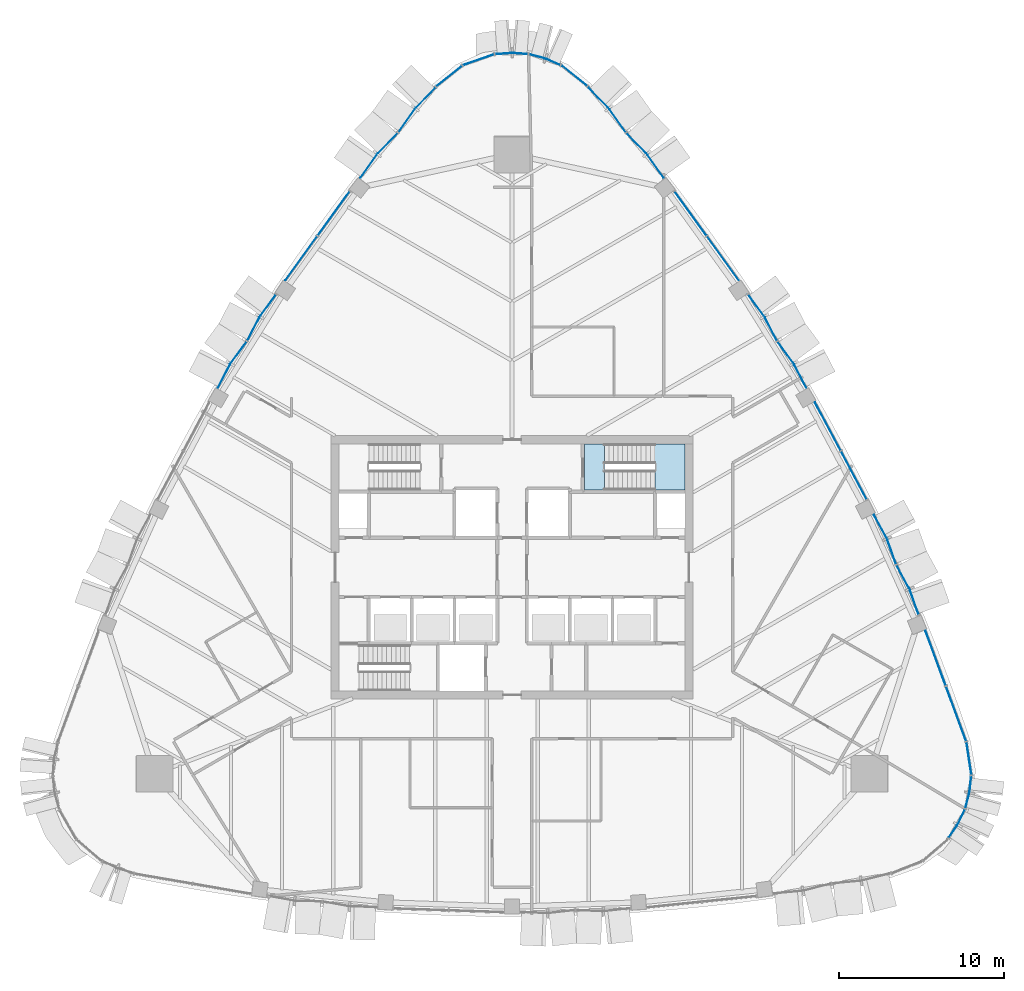
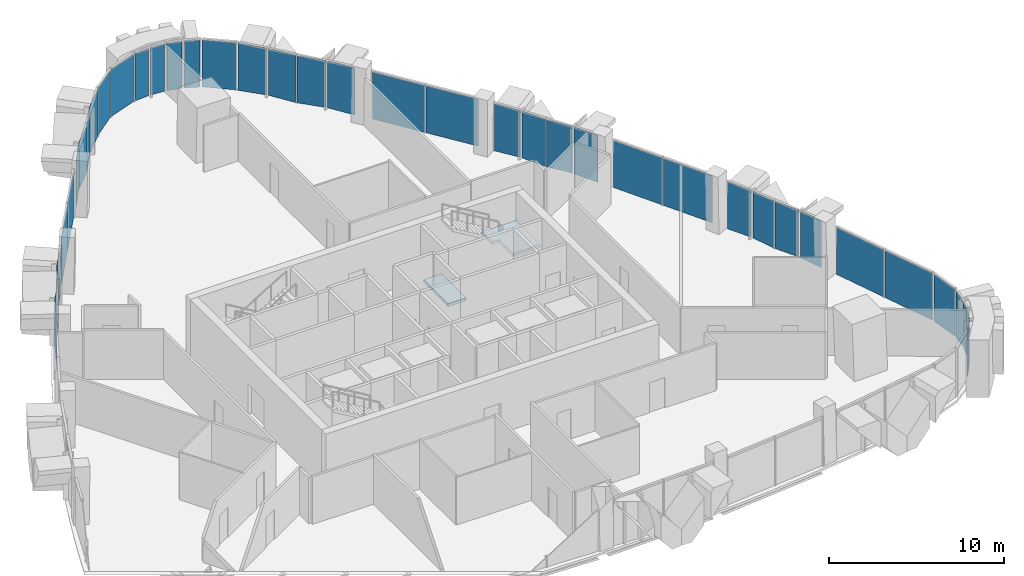
# One storey, part 10 of 18: 40 plates, 2 slabs, 18 elements without a shape of their own.
"""IFC4 building model written with IfcOpenShell, lengths in metres."""

from ifc_helpers import new_model, si_unit, direction, frame, origin, origin_2d, place, context, subcontext, project, spatial, polyline, rectangle, outline, extrude, material, layer, layer_set, type_object, element, aggregate, save


model = new_model("IFC4")

# Units and contexts
model_context = context("Model", 3, precision=1e-05, world=origin(), true_north=direction((0.0, 1.0)))
body_context = subcontext(model_context, "Body", "Model", "MODEL_VIEW")
ifc_project = project(units=[si_unit("LENGTHUNIT", "METRE"), si_unit("AREAUNIT", "SQUARE_METRE"), si_unit("VOLUMEUNIT", "CUBIC_METRE"), si_unit("PLANEANGLEUNIT", "RADIAN"), si_unit("MASSUNIT", "GRAM", prefix="KILO")], contexts=[model_context])

# Site, building, storey
site_placement = place(None, origin())
site = spatial("IfcSite", under=ifc_project, at=site_placement, CompositionType="ELEMENT")
building_placement = place(site_placement, origin())
building = spatial("IfcBuilding", under=site, at=building_placement, Name="Sierra Prisma Convention Tower", CompositionType="ELEMENT")
storey_placement = place(building_placement, frame((0.0, 0.0, 251.0)))
storey = spatial("IfcBuildingStorey", under=building, at=storey_placement, Name="L56", CompositionType="ELEMENT", Elevation=251.0)

# Curtain wall, plate
ifc_material_1 = material(Name="Aluminium and glass curtain wall", Category="aluminium")
ifc_layer_1 = layer(ifc_material_1, 0.179931640625)
ifc_layer_set_1 = layer_set([ifc_layer_1], Name="CW-1 Plain shaft curtain wall")
curtain_wall_type_1 = type_object("IfcCurtainWallType", Name="CW-1 Plain shaft curtain wall", PredefinedType="NOTDEFINED", material=ifc_layer_set_1)
curtain_wall_1_placement = place(storey_placement, origin())
curtain_wall_1 = element("IfcCurtainWall", 1, at=curtain_wall_1_placement, inside=storey, type_object=curtain_wall_type_1, Name="CW-1 SE5 L56", PredefinedType="NOTDEFINED")
ifc_material_2 = material(Name="Tinted glass bronze-grey IGU", Category="glass")
ifc_layer_2 = layer(ifc_material_2, 0.028076171875)
ifc_layer_set_2 = layer_set([ifc_layer_2], Name="CW-1 glass panel")
plate_type_1 = type_object("IfcPlateType", Name="CW-1 glass panel", PredefinedType="CURTAIN_PANEL", material=ifc_layer_set_2)
plate_1_placement = place(storey_placement, frame((27.75732421875, -11.637939453125, 0.0), z_axis=(0.0, 0.0, 1.0), x_axis=(-0.149482789255, 0.988764327692, 0.0)))
plate_1 = element("IfcPlate", 2, at=plate_1_placement, type_object=plate_type_1, Name="CW-1 panel SE5.1", PredefinedType="CURTAIN_PANEL", context=body_context, shape_type="SweptSolid", body=[
    extrude(rectangle(XDim=1.93115234375, YDim=0.028076171875, at=origin_2d()), origin(), (0.0, 0.0, 1.0), 3.280029296875),
])
aggregate(curtain_wall_1, [plate_1])

# Curtain wall, plates
curtain_wall_2_placement = place(storey_placement, origin())
curtain_wall_2 = element("IfcCurtainWall", 3, at=curtain_wall_2_placement, inside=storey, type_object=curtain_wall_type_1, Name="CW-1 NE1 L56", PredefinedType="NOTDEFINED")
plate_2_placement = place(storey_placement, frame((26.968994140625, -8.892578125, 0.0), z_axis=(0.0, 0.0, 1.0), x_axis=(-0.345382735037, 0.938461915231, 0.0)))
plate_2 = element("IfcPlate", 4, at=plate_2_placement, type_object=plate_type_1, Name="CW-1 panel NE1.1", PredefinedType="CURTAIN_PANEL", context=body_context, shape_type="SweptSolid", body=[
    extrude(rectangle(XDim=3.528564453125, YDim=0.028076171875, at=origin_2d()), origin(), (0.0, 0.0, 1.0), 3.280029296875),
])
plate_3_placement = place(storey_placement, frame((25.726318359375, -5.515625, 0.0), z_axis=(0.0, 0.0, 1.0), x_axis=(-0.345382735037, 0.938461915231, 0.0)))
plate_3 = element("IfcPlate", 5, at=plate_3_placement, type_object=plate_type_1, Name="CW-1 panel NE1.2", PredefinedType="CURTAIN_PANEL", context=body_context, shape_type="SweptSolid", body=[
    extrude(rectangle(XDim=3.528564453125, YDim=0.028076171875, at=origin_2d()), origin(), (0.0, 0.0, 1.0), 3.280029296875),
])
aggregate(curtain_wall_2, [plate_2, plate_3])

curtain_wall_3_placement = place(storey_placement, origin())
curtain_wall_3 = element("IfcCurtainWall", 6, at=curtain_wall_3_placement, inside=storey, type_object=curtain_wall_type_1, Name="CW-1 NE3 L56", PredefinedType="NOTDEFINED")
plate_4_placement = place(storey_placement, frame((20.75830078125, 5.595947265625, 0.0), z_axis=(0.0, 0.0, 1.0), x_axis=(-0.470103762851, 0.882611155693, 0.0)))
plate_4 = element("IfcPlate", 7, at=plate_4_placement, type_object=plate_type_1, Name="CW-1 panel NE3.1", PredefinedType="CURTAIN_PANEL", context=body_context, shape_type="SweptSolid", body=[
    extrude(rectangle(XDim=3.29736328125, YDim=0.028076171875, at=origin_2d()), origin(), (0.0, 0.0, 1.0), 3.280029296875),
])
plate_5_placement = place(storey_placement, frame((19.175048828125, 8.568115234375, 0.0), z_axis=(0.0, 0.0, 1.0), x_axis=(-0.470103762851, 0.882611155693, 0.0)))
plate_5 = element("IfcPlate", 8, at=plate_5_placement, type_object=plate_type_1, Name="CW-1 panel NE3.2", PredefinedType="CURTAIN_PANEL", context=body_context, shape_type="SweptSolid", body=[
    extrude(rectangle(XDim=3.29736328125, YDim=0.028076171875, at=origin_2d()), origin(), (0.0, 0.0, 1.0), 3.280029296875),
])
aggregate(curtain_wall_3, [plate_4, plate_5])

curtain_wall_4_placement = place(storey_placement, origin())
curtain_wall_4 = element("IfcCurtainWall", 9, at=curtain_wall_4_placement, inside=storey, type_object=curtain_wall_type_1, Name="CW-1 NE5 L56", PredefinedType="NOTDEFINED")
plate_6_placement = place(storey_placement, frame((12.804443359375, 18.780517578125, 0.0), z_axis=(0.0, 0.0, 1.0), x_axis=(-0.586045771133, 0.810277948692, 0.0)))
plate_6 = element("IfcPlate", 10, at=plate_6_placement, type_object=plate_type_1, Name="CW-1 panel NE5.1", PredefinedType="CURTAIN_PANEL", context=body_context, shape_type="SweptSolid", body=[
    extrude(rectangle(XDim=3.282470703125, YDim=0.028076171875, at=origin_2d()), origin(), (0.0, 0.0, 1.0), 3.280029296875),
])
plate_7_placement = place(storey_placement, frame((10.83984375, 21.496826171875, 0.0), z_axis=(0.0, 0.0, 1.0), x_axis=(-0.586045771133, 0.810277948692, 0.0)))
plate_7 = element("IfcPlate", 11, at=plate_7_placement, type_object=plate_type_1, Name="CW-1 panel NE5.2", PredefinedType="CURTAIN_PANEL", context=body_context, shape_type="SweptSolid", body=[
    extrude(rectangle(XDim=3.282470703125, YDim=0.028076171875, at=origin_2d()), origin(), (0.0, 0.0, 1.0), 3.280029296875),
])
aggregate(curtain_wall_4, [plate_6, plate_7])

# Curtain wall, plate
curtain_wall_5_placement = place(storey_placement, origin())
curtain_wall_5 = element("IfcCurtainWall", 12, at=curtain_wall_5_placement, inside=storey, type_object=curtain_wall_type_1, Name="CW-1 N1 L56", PredefinedType="NOTDEFINED")
plate_8_placement = place(storey_placement, frame((3.7998046875, 29.857666015625, 0.0), z_axis=(0.0, 0.0, 1.0), x_axis=(-0.78155363151, 0.623838056769, 0.0)))
plate_8 = element("IfcPlate", 13, at=plate_8_placement, type_object=plate_type_1, Name="CW-1 panel N1.1", PredefinedType="CURTAIN_PANEL", context=body_context, shape_type="SweptSolid", body=[
    extrude(rectangle(XDim=1.93115234375, YDim=0.028076171875, at=origin_2d()), origin(), (0.0, 0.0, 1.0), 3.280029296875),
])
aggregate(curtain_wall_5, [plate_8])

curtain_wall_6_placement = place(storey_placement, origin())
curtain_wall_6 = element("IfcCurtainWall", 14, at=curtain_wall_6_placement, inside=storey, type_object=curtain_wall_type_1, Name="CW-1 N4 L56", PredefinedType="NOTDEFINED")
plate_9_placement = place(storey_placement, frame((-2.01318359375, 30.845947265625, 0.0), z_axis=(0.0, 0.0, 1.0), x_axis=(-0.943809734933, -0.330489310334, 0.0)))
plate_9 = element("IfcPlate", 15, at=plate_9_placement, type_object=plate_type_1, Name="CW-1 panel N4.1", PredefinedType="CURTAIN_PANEL", context=body_context, shape_type="SweptSolid", body=[
    extrude(rectangle(XDim=1.93115234375, YDim=0.028076171875, at=origin_2d()), origin(), (0.0, 0.0, 1.0), 3.280029296875),
])
aggregate(curtain_wall_6, [plate_9])

curtain_wall_7_placement = place(storey_placement, origin())
curtain_wall_7 = element("IfcCurtainWall", 16, at=curtain_wall_7_placement, inside=storey, type_object=curtain_wall_type_1, Name="CW-1 N5 L56", PredefinedType="NOTDEFINED")
plate_10_placement = place(storey_placement, frame((-3.7998046875, 29.857666015625, 0.0), z_axis=(0.0, 0.0, 1.0), x_axis=(-0.78155363151, -0.623838056769, 0.0)))
plate_10 = element("IfcPlate", 17, at=plate_10_placement, type_object=plate_type_1, Name="CW-1 panel N5.1", PredefinedType="CURTAIN_PANEL", context=body_context, shape_type="SweptSolid", body=[
    extrude(rectangle(XDim=1.93115234375, YDim=0.028076171875, at=origin_2d()), origin(), (0.0, 0.0, 1.0), 3.280029296875),
])
aggregate(curtain_wall_7, [plate_10])

# Curtain wall, plates
curtain_wall_8_placement = place(storey_placement, origin())
curtain_wall_8 = element("IfcCurtainWall", 18, at=curtain_wall_8_placement, inside=storey, type_object=curtain_wall_type_1, Name="CW-1 NW2 L56", PredefinedType="NOTDEFINED")
plate_11_placement = place(storey_placement, frame((-10.840576171875, 21.495849609375, 0.0), z_axis=(0.0, 0.0, 1.0), x_axis=(-0.586045771133, -0.810277948692, 0.0)))
plate_11 = element("IfcPlate", 19, at=plate_11_placement, type_object=plate_type_1, Name="CW-1 panel NW2.1", PredefinedType="CURTAIN_PANEL", context=body_context, shape_type="SweptSolid", body=[
    extrude(rectangle(XDim=3.281494140625, YDim=0.028076171875, at=origin_2d()), origin(), (0.0, 0.0, 1.0), 3.280029296875),
])
plate_12_placement = place(storey_placement, frame((-12.8046875, 18.7802734375, 0.0), z_axis=(0.0, 0.0, 1.0), x_axis=(-0.586045771133, -0.810277948692, 0.0)))
plate_12 = element("IfcPlate", 20, at=plate_12_placement, type_object=plate_type_1, Name="CW-1 panel NW2.2", PredefinedType="CURTAIN_PANEL", context=body_context, shape_type="SweptSolid", body=[
    extrude(rectangle(XDim=3.281494140625, YDim=0.028076171875, at=origin_2d()), origin(), (0.0, 0.0, 1.0), 3.280029296875),
])
aggregate(curtain_wall_8, [plate_11, plate_12])

ifc_material_3 = material(Name="Aluminium and glass curtain wall", Category="aluminium")
ifc_layer_3 = layer(ifc_material_3, 0.179931640625)
ifc_layer_set_3 = layer_set([ifc_layer_3], Name="CW-2 Faceted crystal curtain wall")
curtain_wall_type_2 = type_object("IfcCurtainWallType", Name="CW-2 Faceted crystal curtain wall", PredefinedType="NOTDEFINED", material=ifc_layer_set_3)
curtain_wall_9_placement = place(storey_placement, origin())
curtain_wall_9 = element("IfcCurtainWall", 21, at=curtain_wall_9_placement, inside=storey, type_object=curtain_wall_type_2, Name="CW-2 SE3 L56", PredefinedType="NOTDEFINED")
ifc_material_4 = material(Name="Tinted glass bronze-grey IGU", Category="glass")
ifc_layer_4 = layer(ifc_material_4, 0.028076171875)
ifc_layer_set_4 = layer_set([ifc_layer_4], Name="CW-2 crystal pane")
plate_type_2 = type_object("IfcPlateType", Name="CW-2 crystal pane", PredefinedType="CURTAIN_PANEL", material=ifc_layer_set_4)
plate_13_placement = place(storey_placement, frame((26.52685546875, -16.430419921875, 0.0), z_axis=(0.824112849106, -0.566425645551, 0.0), x_axis=(0.566425645551, 0.824112849106, 0.0)))
plate_13 = element("IfcPlate", 22, at=plate_13_placement, type_object=plate_type_2, Name="CW-2 pane SE3.1.1", PredefinedType="CURTAIN_PANEL", context=body_context, shape_type="SweptSolid", body=[
    extrude(outline(polyline([(0.0, 0.0), (0.9038483597030819, 0.0), (0.9038483597030819, 3.280029296875), (0.0, 3.280029296875), (0.0, 0.0)])), origin(), (0.0, 0.0, -1.0), 0.028076171875),
])
plate_14_placement = place(storey_placement, frame((27.49267578125, -14.7578125, 0.0), z_axis=(0.902540694234, -0.430604569473, 0.0), x_axis=(-0.430604569473, -0.902540694234, 0.0)))
plate_14 = element("IfcPlate", 23, at=plate_14_placement, type_object=plate_type_2, Name="CW-2 pane SE3.1.2", PredefinedType="CURTAIN_PANEL", context=body_context, shape_type="SweptSolid", body=[
    extrude(outline(polyline([(0.0, 0.0), (0.9037529646427814, 0.0), (0.9037529646427814, -3.280029296875), (0.0, -3.280029296875), (0.0, 0.0)])), origin(), (0.0, 0.0, -1.0), 0.028076171875),
])
aggregate(curtain_wall_9, [plate_13, plate_14])

curtain_wall_10_placement = place(storey_placement, origin())
curtain_wall_10 = element("IfcCurtainWall", 24, at=curtain_wall_10_placement, inside=storey, type_object=curtain_wall_type_2, Name="CW-2 SE4 L56", PredefinedType="NOTDEFINED")
plate_15_placement = place(storey_placement, frame((27.54052734375, -14.62841796875, 0.0), z_axis=(0.964981688905, -0.262317250819, 0.0), x_axis=(0.262317250819, 0.964981688905, 0.0)))
plate_15 = element("IfcPlate", 25, at=plate_15_placement, type_object=plate_type_2, Name="CW-2 pane SE4.1.1", PredefinedType="CURTAIN_PANEL", context=body_context, shape_type="SweptSolid", body=[
    extrude(outline(polyline([(0.0, 0.0), (0.9037169539344284, 0.0), (0.9037169539344284, 3.280029296875), (0.0, 3.280029296875), (0.0, 0.0)])), origin(), (0.0, 0.0, -1.0), 0.028076171875),
])
plate_16_placement = place(storey_placement, frame((27.899169921875, -12.730712890625, 0.0), z_axis=(0.994144463069, -0.108059180768, 0.0), x_axis=(-0.108059180768, -0.994144463069, 0.0)))
plate_16 = element("IfcPlate", 26, at=plate_16_placement, type_object=plate_type_2, Name="CW-2 pane SE4.1.2", PredefinedType="CURTAIN_PANEL", context=body_context, shape_type="SweptSolid", body=[
    extrude(outline(polyline([(0.0, 0.0), (0.9037293204108809, 0.0), (0.9037293204108809, -3.280029296875), (0.0, -3.280029296875), (0.0, 0.0)])), origin(), (0.0, 0.0, -1.0), 0.028076171875),
])
aggregate(curtain_wall_10, [plate_15, plate_16])

curtain_wall_11_placement = place(storey_placement, origin())
curtain_wall_11 = element("IfcCurtainWall", 27, at=curtain_wall_11_placement, inside=storey, type_object=curtain_wall_type_2, Name="CW-2 NE2 L56", PredefinedType="NOTDEFINED")
plate_17_placement = place(storey_placement, frame((24.706787109375, -2.857421875, 0.0), z_axis=(0.941947891639, 0.335759094347, 0.0), x_axis=(-0.335759094347, 0.941947891639, 0.0)))
plate_17 = element("IfcPlate", 28, at=plate_17_placement, type_object=plate_type_2, Name="CW-2 pane NE2.1.1", PredefinedType="CURTAIN_PANEL", context=body_context, shape_type="SweptSolid", body=[
    extrude(outline(polyline([(0.0, 0.0), (1.580781362845958, 0.0), (1.580781362845958, 3.280029296875), (0.0, 3.280029296875), (0.0, 0.0)])), origin(), (0.0, 0.0, -1.0), 0.028076171875),
])
plate_18_placement = place(storey_placement, frame((23.36572265625, 0.1376953125, 0.0), z_axis=(0.877789318095, 0.479046879791, 0.0), x_axis=(0.479046879791, -0.877789318095, 0.0)))
plate_18 = element("IfcPlate", 29, at=plate_18_placement, type_object=plate_type_2, Name="CW-2 pane NE2.1.2", PredefinedType="CURTAIN_PANEL", context=body_context, shape_type="SweptSolid", body=[
    extrude(outline(polyline([(0.0, 0.0), (1.580897926065997, 0.0), (1.580897926065997, -3.280029296875), (0.0, -3.280029296875), (0.0, 0.0)])), origin(), (0.0, 0.0, -1.0), 0.028076171875),
])
plate_19_placement = place(storey_placement, frame((23.337158203125, 0.201416015625, 0.0), z_axis=(0.941916459404, 0.335847262165, 0.0), x_axis=(-0.335847262165, 0.941916459404, 0.0)))
plate_19 = element("IfcPlate", 30, at=plate_19_placement, type_object=plate_type_2, Name="CW-2 pane NE2.2.1", PredefinedType="CURTAIN_PANEL", context=body_context, shape_type="SweptSolid", body=[
    extrude(outline(polyline([(0.0, 0.0), (1.5810933099544973, 0.0), (1.5810933099544973, 3.2800292968749996), (0.0, 3.2800292968749996), (0.0, 0.0)])), origin(), (0.0, 0.0, -1.0), 0.028076171875),
])
plate_20_placement = place(storey_placement, frame((21.995849609375, 3.196533203125, 0.0), z_axis=(0.877789318095, 0.479046879791, 0.0), x_axis=(0.479046879791, -0.877789318095, 0.0)))
plate_20 = element("IfcPlate", 31, at=plate_20_placement, type_object=plate_type_2, Name="CW-2 pane NE2.2.2", PredefinedType="CURTAIN_PANEL", context=body_context, shape_type="SweptSolid", body=[
    extrude(outline(polyline([(0.0, 0.0), (1.580897926065997, 0.0), (1.580897926065997, -3.280029296875), (0.0, -3.280029296875), (0.0, 0.0)])), origin(), (0.0, 0.0, -1.0), 0.028076171875),
])
aggregate(curtain_wall_11, [plate_17, plate_18, plate_19, plate_20])

curtain_wall_12_placement = place(storey_placement, origin())
curtain_wall_12 = element("IfcCurtainWall", 32, at=curtain_wall_12_placement, inside=storey, type_object=curtain_wall_type_2, Name="CW-2 NE4 L56", PredefinedType="NOTDEFINED")
plate_21_placement = place(storey_placement, frame((17.88037109375, 10.92333984375, 0.0), z_axis=(0.88734255422, 0.461110823414, 0.0), x_axis=(-0.461110823414, 0.88734255422, 0.0)))
plate_21 = element("IfcPlate", 33, at=plate_21_placement, type_object=plate_type_2, Name="CW-2 pane NE4.1.1", PredefinedType="CURTAIN_PANEL", context=body_context, shape_type="SweptSolid", body=[
    extrude(outline(polyline([(0.0, 0.0), (1.588915242111446, 0.0), (1.588915242111446, 3.280029296875), (0.0, 3.280029296875), (0.0, 0.0)])), origin(), (0.0, 0.0, -1.0), 0.028076171875),
])
plate_22_placement = place(storey_placement, frame((16.135009765625, 13.720947265625, 0.0), z_axis=(0.804294287787, 0.594231182818, 0.0), x_axis=(0.594231182818, -0.804294287787, 0.0)))
plate_22 = element("IfcPlate", 34, at=plate_22_placement, type_object=plate_type_2, Name="CW-2 pane NE4.1.2", PredefinedType="CURTAIN_PANEL", context=body_context, shape_type="SweptSolid", body=[
    extrude(outline(polyline([(0.0, 0.0), (1.5887617886313754, 0.0), (1.5887617886313754, -3.280029296875), (0.0, -3.280029296875), (0.0, 0.0)])), origin(), (0.0, 0.0, -1.0), 0.028076171875),
])
plate_23_placement = place(storey_placement, frame((16.097900390625, 13.780517578125, 0.0), z_axis=(0.887309877476, 0.461173699741, 0.0), x_axis=(-0.461173699741, 0.887309877476, 0.0)))
plate_23 = element("IfcPlate", 35, at=plate_23_placement, type_object=plate_type_2, Name="CW-2 pane NE4.2.1", PredefinedType="CURTAIN_PANEL", context=body_context, shape_type="SweptSolid", body=[
    extrude(outline(polyline([(0.0, 0.0), (1.588698609734258, 0.0), (1.588698609734258, 3.280029296875), (0.0, 3.280029296875), (0.0, 0.0)])), origin(), (0.0, 0.0, -1.0), 0.028076171875),
])
plate_24_placement = place(storey_placement, frame((14.3525390625, 16.578125, 0.0), z_axis=(0.804294287787, 0.594231182818, 0.0), x_axis=(0.594231182818, -0.804294287787, 0.0)))
plate_24 = element("IfcPlate", 36, at=plate_24_placement, type_object=plate_type_2, Name="CW-2 pane NE4.2.2", PredefinedType="CURTAIN_PANEL", context=body_context, shape_type="SweptSolid", body=[
    extrude(outline(polyline([(0.0, 0.0), (1.5887617886313754, 0.0), (1.5887617886313754, -3.280029296875), (0.0, -3.280029296875), (0.0, 0.0)])), origin(), (0.0, 0.0, -1.0), 0.028076171875),
])
aggregate(curtain_wall_12, [plate_21, plate_22, plate_23, plate_24])

curtain_wall_13_placement = place(storey_placement, origin())
curtain_wall_13 = element("IfcCurtainWall", 37, at=curtain_wall_13_placement, inside=storey, type_object=curtain_wall_type_2, Name="CW-2 NE6 L56", PredefinedType="NOTDEFINED")
plate_25_placement = place(storey_placement, frame((9.215576171875, 23.681884765625, 0.0), z_axis=(0.816213024985, 0.577751069098, 0.0), x_axis=(-0.577751069098, 0.816213024985, 0.0)))
plate_25 = element("IfcPlate", 38, at=plate_25_placement, type_object=plate_type_2, Name="CW-2 pane NE6.1.1", PredefinedType="CURTAIN_PANEL", context=body_context, shape_type="SweptSolid", body=[
    extrude(outline(polyline([(0.0, 0.0), (1.7046498638022896, 0.0), (1.7046498638022896, 3.280029296875), (0.0, 3.280029296875), (0.0, 0.0)])), origin(), (0.0, 0.0, -1.0), 0.028076171875),
])
plate_26_placement = place(storey_placement, frame((6.957275390625, 26.392822265625, 0.0), z_axis=(0.715719083287, 0.698388282991, 0.0), x_axis=(0.698388282991, -0.715719083287, 0.0)))
plate_26 = element("IfcPlate", 39, at=plate_26_placement, type_object=plate_type_2, Name="CW-2 pane NE6.1.2", PredefinedType="CURTAIN_PANEL", context=body_context, shape_type="SweptSolid", body=[
    extrude(outline(polyline([(0.0, 0.0), (1.7045384587520032, 0.0), (1.7045384587520032, -3.280029296875), (0.0, -3.280029296875), (0.0, 0.0)])), origin(), (0.0, 0.0, -1.0), 0.028076171875),
])
plate_27_placement = place(storey_placement, frame((6.912353515625, 26.44677734375, 0.0), z_axis=(0.816213024985, 0.577751069098, 0.0), x_axis=(-0.577751069098, 0.816213024985, 0.0)))
plate_27 = element("IfcPlate", 40, at=plate_27_placement, type_object=plate_type_2, Name="CW-2 pane NE6.2.1", PredefinedType="CURTAIN_PANEL", context=body_context, shape_type="SweptSolid", body=[
    extrude(outline(polyline([(0.0, 0.0), (1.7046498638022896, 0.0), (1.7046498638022896, 3.280029296875), (0.0, 3.280029296875), (0.0, 0.0)])), origin(), (0.0, 0.0, -1.0), 0.028076171875),
])
plate_28_placement = place(storey_placement, frame((4.654052734375, 29.15771484375, 0.0), z_axis=(0.715788932313, 0.698316693469, 0.0), x_axis=(0.698316693469, -0.715788932313, 0.0)))
plate_28 = element("IfcPlate", 41, at=plate_28_placement, type_object=plate_type_2, Name="CW-2 pane NE6.2.2", PredefinedType="CURTAIN_PANEL", context=body_context, shape_type="SweptSolid", body=[
    extrude(outline(polyline([(0.0, 0.0), (1.7047132033832506, 0.0), (1.7047132033832506, -3.280029296875), (0.0, -3.280029296875), (0.0, 0.0)])), origin(), (0.0, 0.0, -1.0), 0.028076171875),
])
aggregate(curtain_wall_13, [plate_25, plate_26, plate_27, plate_28])

curtain_wall_14_placement = place(storey_placement, origin())
curtain_wall_14 = element("IfcCurtainWall", 42, at=curtain_wall_14_placement, inside=storey, type_object=curtain_wall_type_2, Name="CW-2 N2 L56", PredefinedType="NOTDEFINED")
plate_29_placement = place(storey_placement, frame((2.92431640625, 30.52685546875, 0.0), z_axis=(0.40345391342, 0.914999967074, 0.0), x_axis=(-0.914999967074, 0.40345391342, 0.0)))
plate_29 = element("IfcPlate", 43, at=plate_29_placement, type_object=plate_type_2, Name="CW-2 pane N2.1.1", PredefinedType="CURTAIN_PANEL", context=body_context, shape_type="SweptSolid", body=[
    extrude(outline(polyline([(0.0, 0.0), (0.9034537551879533, 0.0), (0.9034537551879533, 3.280029296875), (0.0, 3.280029296875), (0.0, 0.0)])), origin(), (0.0, 0.0, -1.0), 0.028076171875),
])
plate_30_placement = place(storey_placement, frame((1.101806640625, 31.1650390625, 0.0), z_axis=(0.255357761099, 0.966846634088, 0.0), x_axis=(0.966846634088, -0.255357761099, 0.0)))
plate_30 = element("IfcPlate", 44, at=plate_30_placement, type_object=plate_type_2, Name="CW-2 pane N2.1.2", PredefinedType="CURTAIN_PANEL", context=body_context, shape_type="SweptSolid", body=[
    extrude(outline(polyline([(0.0, 0.0), (0.9034888527841697, 0.0), (0.9034888527841697, -3.280029296875), (0.0, -3.280029296875), (0.0, 0.0)])), origin(), (0.0, 0.0, -1.0), 0.028076171875),
])
aggregate(curtain_wall_14, [plate_29, plate_30])

curtain_wall_15_placement = place(storey_placement, origin())
curtain_wall_15 = element("IfcCurtainWall", 45, at=curtain_wall_15_placement, inside=storey, type_object=curtain_wall_type_2, Name="CW-2 N3 L56", PredefinedType="NOTDEFINED")
plate_31_placement = place(storey_placement, frame((0.965576171875, 31.188232421875, 0.0), z_axis=(0.078349196019, 0.996925976933, 0.0), x_axis=(-0.996925976933, 0.078349196019, 0.0)))
plate_31 = element("IfcPlate", 46, at=plate_31_placement, type_object=plate_type_2, Name="CW-2 pane N3.1.1", PredefinedType="CURTAIN_PANEL", context=body_context, shape_type="SweptSolid", body=[
    extrude(outline(polyline([(0.0, 0.0), (0.9036567679997792, 0.0), (0.9036567679997792, 3.280029296875), (0.0, 3.280029296875), (0.0, 0.0)])), origin(), (0.0, 0.0, -1.0), 0.028076171875),
])
plate_32_placement = place(storey_placement, frame((-0.965576171875, 31.188232421875, 0.0), z_axis=(-0.078349196019, 0.996925976933, 0.0), x_axis=(0.996925976933, 0.078349196019, 0.0)))
plate_32 = element("IfcPlate", 47, at=plate_32_placement, type_object=plate_type_2, Name="CW-2 pane N3.1.2", PredefinedType="CURTAIN_PANEL", context=body_context, shape_type="SweptSolid", body=[
    extrude(outline(polyline([(0.0, 0.0), (0.9036567679997792, 0.0), (0.9036567679997792, -3.280029296875), (0.0, -3.280029296875), (0.0, 0.0)])), origin(), (0.0, 0.0, -1.0), 0.028076171875),
])
aggregate(curtain_wall_15, [plate_31, plate_32])

curtain_wall_16_placement = place(storey_placement, origin())
curtain_wall_16 = element("IfcCurtainWall", 48, at=curtain_wall_16_placement, inside=storey, type_object=curtain_wall_type_2, Name="CW-2 NW1 L56", PredefinedType="NOTDEFINED")
plate_33_placement = place(storey_placement, frame((-4.654052734375, 29.15771484375, 0.0), z_axis=(-0.715788932313, 0.698316693469, 0.0), x_axis=(-0.698316693469, -0.715788932313, 0.0)))
plate_33 = element("IfcPlate", 49, at=plate_33_placement, type_object=plate_type_2, Name="CW-2 pane NW1.1.1", PredefinedType="CURTAIN_PANEL", context=body_context, shape_type="SweptSolid", body=[
    extrude(outline(polyline([(0.0, 0.0), (1.7047132033832506, 0.0), (1.7047132033832506, 3.280029296875), (0.0, 3.280029296875), (0.0, 0.0)])), origin(), (0.0, 0.0, -1.0), 0.028076171875),
])
plate_34_placement = place(storey_placement, frame((-6.912353515625, 26.44677734375, 0.0), z_axis=(-0.816213024985, 0.577751069098, 0.0), x_axis=(0.577751069098, 0.816213024985, 0.0)))
plate_34 = element("IfcPlate", 50, at=plate_34_placement, type_object=plate_type_2, Name="CW-2 pane NW1.1.2", PredefinedType="CURTAIN_PANEL", context=body_context, shape_type="SweptSolid", body=[
    extrude(outline(polyline([(0.0, 0.0), (1.7046498638022896, 0.0), (1.7046498638022896, -3.280029296875), (0.0, -3.280029296875), (0.0, 0.0)])), origin(), (0.0, 0.0, -1.0), 0.028076171875),
])
plate_35_placement = place(storey_placement, frame((-6.957275390625, 26.392822265625, 0.0), z_axis=(-0.715719083287, 0.698388282991, 0.0), x_axis=(-0.698388282991, -0.715719083287, 0.0)))
plate_35 = element("IfcPlate", 51, at=plate_35_placement, type_object=plate_type_2, Name="CW-2 pane NW1.2.1", PredefinedType="CURTAIN_PANEL", context=body_context, shape_type="SweptSolid", body=[
    extrude(outline(polyline([(0.0, 0.0), (1.7045384587520032, 0.0), (1.7045384587520032, 3.280029296875), (0.0, 3.280029296875), (0.0, 0.0)])), origin(), (0.0, 0.0, -1.0), 0.028076171875),
])
plate_36_placement = place(storey_placement, frame((-9.215576171875, 23.681884765625, 0.0), z_axis=(-0.816213024985, 0.577751069098, 0.0), x_axis=(0.577751069098, 0.816213024985, 0.0)))
plate_36 = element("IfcPlate", 52, at=plate_36_placement, type_object=plate_type_2, Name="CW-2 pane NW1.2.2", PredefinedType="CURTAIN_PANEL", context=body_context, shape_type="SweptSolid", body=[
    extrude(outline(polyline([(0.0, 0.0), (1.7046498638022896, 0.0), (1.7046498638022896, -3.280029296875), (0.0, -3.280029296875), (0.0, 0.0)])), origin(), (0.0, 0.0, -1.0), 0.028076171875),
])
aggregate(curtain_wall_16, [plate_33, plate_34, plate_35, plate_36])

curtain_wall_17_placement = place(storey_placement, origin())
curtain_wall_17 = element("IfcCurtainWall", 53, at=curtain_wall_17_placement, inside=storey, type_object=curtain_wall_type_2, Name="CW-2 NW3 L56", PredefinedType="NOTDEFINED")
plate_37_placement = place(storey_placement, frame((-14.3525390625, 16.577880859375, 0.0), z_axis=(-0.804220845135, 0.594330574891, 0.0), x_axis=(-0.594330574891, -0.804220845135, 0.0)))
plate_37 = element("IfcPlate", 54, at=plate_37_placement, type_object=plate_type_2, Name="CW-2 pane NW3.1.1", PredefinedType="CURTAIN_PANEL", context=body_context, shape_type="SweptSolid", body=[
    extrude(outline(polyline([(0.0, 0.0), (1.5889068767371186, 0.0), (1.5889068767371186, 3.2800292968749996), (0.0, 3.2800292968749996), (0.0, 0.0)])), origin(), (0.0, 0.0, -1.0), 0.028076171875),
])
plate_38_placement = place(storey_placement, frame((-16.097900390625, 13.7802734375, 0.0), z_axis=(-0.887405419338, 0.460989828228, 0.0), x_axis=(0.460989828228, 0.887405419338, 0.0)))
plate_38 = element("IfcPlate", 55, at=plate_38_placement, type_object=plate_type_2, Name="CW-2 pane NW3.1.2", PredefinedType="CURTAIN_PANEL", context=body_context, shape_type="SweptSolid", body=[
    extrude(outline(polyline([(0.0, 0.0), (1.5888026809962206, 0.0), (1.5888026809962206, -3.280029296875), (0.0, -3.280029296875), (0.0, 0.0)])), origin(), (0.0, 0.0, -1.0), 0.028076171875),
])
plate_39_placement = place(storey_placement, frame((-16.135009765625, 13.720947265625, 0.0), z_axis=(-0.804294287787, 0.594231182818, 0.0), x_axis=(-0.594231182818, -0.804294287787, 0.0)))
plate_39 = element("IfcPlate", 56, at=plate_39_placement, type_object=plate_type_2, Name="CW-2 pane NW3.2.1", PredefinedType="CURTAIN_PANEL", context=body_context, shape_type="SweptSolid", body=[
    extrude(outline(polyline([(0.0, 0.0), (1.5887617886313754, 0.0), (1.5887617886313754, 3.280029296875), (0.0, 3.280029296875), (0.0, 0.0)])), origin(), (0.0, 0.0, -1.0), 0.028076171875),
])
plate_40_placement = place(storey_placement, frame((-17.88037109375, 10.92333984375, 0.0), z_axis=(-0.887309877476, 0.461173699741, 0.0), x_axis=(0.461173699741, 0.887309877476, 0.0)))
plate_40 = element("IfcPlate", 57, at=plate_40_placement, type_object=plate_type_2, Name="CW-2 pane NW3.2.2", PredefinedType="CURTAIN_PANEL", context=body_context, shape_type="SweptSolid", body=[
    extrude(outline(polyline([(0.0, 0.0), (1.588698609734258, 0.0), (1.588698609734258, -3.280029296875), (0.0, -3.280029296875), (0.0, 0.0)])), origin(), (0.0, 0.0, -1.0), 0.028076171875),
])
aggregate(curtain_wall_17, [plate_37, plate_38, plate_39, plate_40])

# Stair, slab
ifc_material_5 = material(Name="Concrete C30/37", Category="concrete")
stair_type = type_object("IfcStairType", Name="Stair dog-leg 1200 RC", PredefinedType="HALF_TURN_STAIR", material=ifc_material_5)
stair_placement = place(storey_placement, origin())
stair = element("IfcStair", 58, at=stair_placement, inside=storey, type_object=stair_type, Name="L56 S4", PredefinedType="HALF_TURN_STAIR")
ifc_material_6 = material(Name="Concrete C35/45", Category="concrete")
ifc_layer_5 = layer(ifc_material_6, 0.199951171875)
ifc_layer_set_5 = layer_set([ifc_layer_5], Name="Stair landing slab")
slab_type = type_object("IfcSlabType", Name="Stair landing slab", PredefinedType="LANDING", material=ifc_layer_set_5)
slab_1_placement = place(storey_placement, frame((0.0, 0.0, 1.800048828125)))
slab_1 = element("IfcSlab", 59, at=slab_1_placement, type_object=slab_type, Name="S4 landing 1", PredefinedType="LANDING", context=body_context, shape_type="SweptSolid", body=[
    extrude(outline(polyline([(10.5, 7.5), (10.5, 4.699951171875), (8.677978515625, 4.699951171875), (8.677978515625, 6.300048828125), (8.22998046875, 6.300048828125), (8.22998046875, 7.5), (10.5, 7.5)])), origin(), (0.0, 0.0, 1.0), 0.199951171875),
])
aggregate(stair, [slab_1])

# Slab
slab_2_placement = place(storey_placement, frame((0.0, 0.0, -0.199951171875)))
element("IfcSlab", 60, at=slab_2_placement, inside=storey, type_object=slab_type, Name="S4 floor landing L56", PredefinedType="LANDING", context=body_context, shape_type="SweptSolid", body=[
    extrude(outline(polyline([(4.39990234375, 4.699951171875), (5.60205078125, 4.699951171875), (5.60205078125, 7.5), (4.39990234375, 7.5), (4.39990234375, 4.699951171875)])), origin(), (0.0, 0.0, 1.0), 0.199951171875),
])

save(model, "model.ifc")
